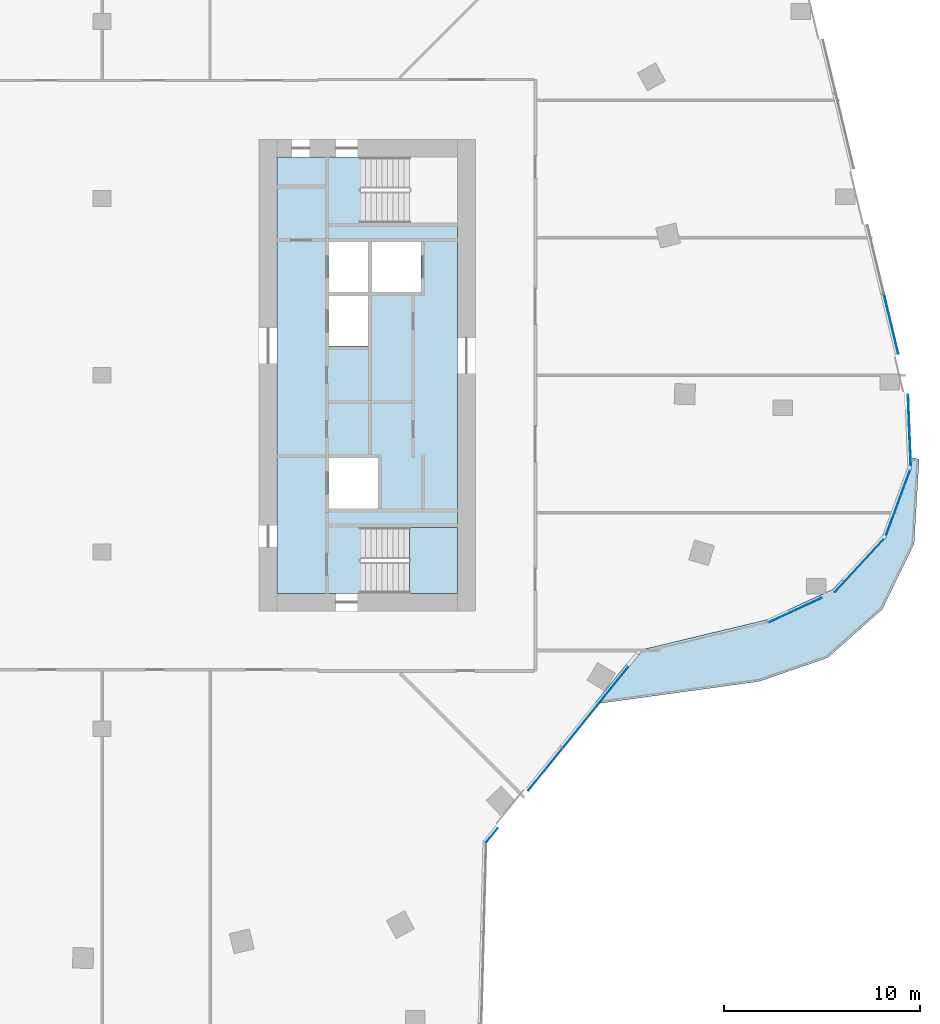
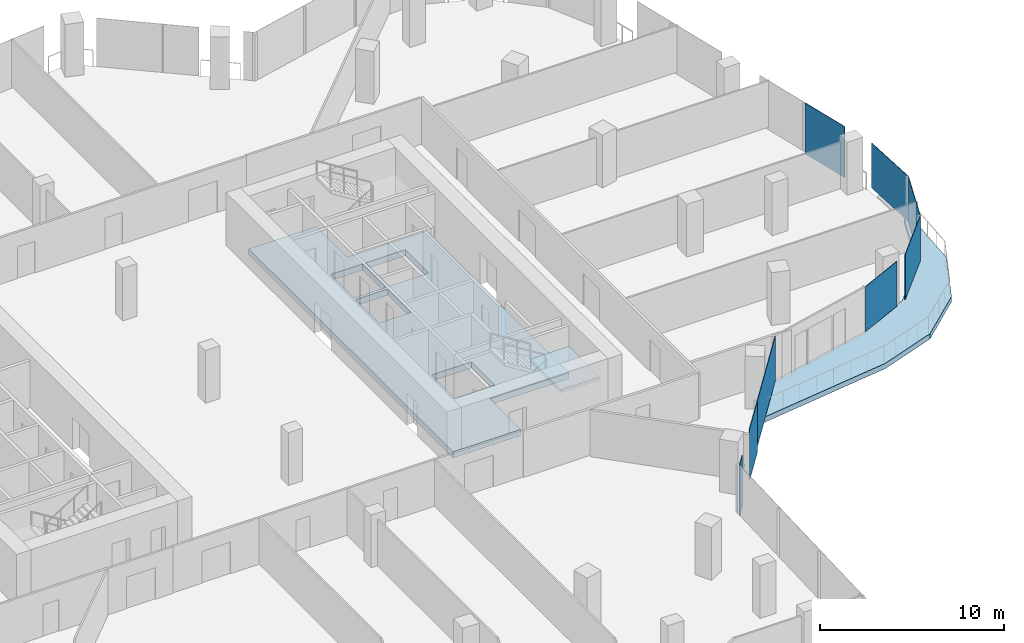
# One storey, part 12 of 24: 8 plates, 3 slabs, 7 elements without a shape of their own.
"""IFC4 building model written with IfcOpenShell, lengths in metres."""

from ifc_helpers import new_model, si_unit, direction, frame, origin, origin_2d, place, context, subcontext, project, spatial, polyline, rectangle, outline, extrude, material, layer, layer_set, type_object, element, aggregate, save


model = new_model("IFC4")

# Units and contexts
model_context = context("Model", 3, precision=1e-05, world=origin(), true_north=direction((0.0, 1.0)))
body_context = subcontext(model_context, "Body", "Model", "MODEL_VIEW")
ifc_project = project(units=[si_unit("LENGTHUNIT", "METRE"), si_unit("AREAUNIT", "SQUARE_METRE"), si_unit("VOLUMEUNIT", "CUBIC_METRE"), si_unit("PLANEANGLEUNIT", "RADIAN"), si_unit("MASSUNIT", "GRAM", prefix="KILO")], contexts=[model_context])

# Site, building, storey
site_placement = place(None, origin())
site = spatial("IfcSite", under=ifc_project, at=site_placement, CompositionType="ELEMENT")
building_placement = place(site_placement, origin())
building = spatial("IfcBuilding", under=site, at=building_placement, Name="Orlundy Tower", CompositionType="ELEMENT")
storey_placement = place(building_placement, frame((0.0, 0.0, 210.5)))
storey = spatial("IfcBuildingStorey", under=building, at=storey_placement, Name="L55", CompositionType="ELEMENT", Elevation=210.5)

# Curtain wall, plate
ifc_material_1 = material(Name="Aluminium bronze anodised", Category="aluminium")
curtain_wall_type = type_object("IfcCurtainWallType", Name="CW1 wall", PredefinedType="NOTDEFINED", material=ifc_material_1)
curtain_wall_1_placement = place(storey_placement, origin())
curtain_wall_1 = element("IfcCurtainWall", 1, at=curtain_wall_1_placement, inside=storey, type_object=curtain_wall_type, Name="CW1 run 011", PredefinedType="NOTDEFINED")
ifc_material_2 = material(Name="Tinted glass", Category="glass")
ifc_layer_1 = layer(ifc_material_2, 0.031982421875)
ifc_layer_set_1 = layer_set([ifc_layer_1], Name="CW1 glass panel 32")
plate_type = type_object("IfcPlateType", Name="CW1 glass panel 32", PredefinedType="CURTAIN_PANEL", material=ifc_layer_set_1)
plate_1_placement = place(storey_placement, frame((40.163330078125, 2.615478515625, -0.280029296875), z_axis=(0.0, 0.0, 1.0), x_axis=(0.233472005748, -0.972363523859, 0.0)))
plate_1 = element("IfcPlate", 2, at=plate_1_placement, type_object=plate_type, Name="CW1 panel", PredefinedType="CURTAIN_PANEL", context=body_context, shape_type="SweptSolid", body=[
    extrude(rectangle(XDim=3.115234375, YDim=0.031982421875, at=origin_2d()), origin(), (0.0, 0.0, 1.0), 3.3798828125),
])
aggregate(curtain_wall_1, [plate_1])

curtain_wall_2_placement = place(storey_placement, origin())
curtain_wall_2 = element("IfcCurtainWall", 3, at=curtain_wall_2_placement, inside=storey, type_object=curtain_wall_type, Name="CW1 run 012", PredefinedType="NOTDEFINED")
plate_2_placement = place(storey_placement, frame((41.09716796875, -2.85546875, 0.1201171875), z_axis=(0.0, 0.0, 1.0), x_axis=(0.039116906831, -0.999234640913, 0.0)))
plate_2 = element("IfcPlate", 4, at=plate_2_placement, type_object=plate_type, Name="CW1 panel", PredefinedType="CURTAIN_PANEL", context=body_context, shape_type="SweptSolid", body=[
    extrude(rectangle(XDim=3.73046875, YDim=0.031982421875, at=origin_2d()), origin(), (0.0, 0.0, 1.0), 2.97998046875),
])
aggregate(curtain_wall_2, [plate_2])

curtain_wall_3_placement = place(storey_placement, origin())
curtain_wall_3 = element("IfcCurtainWall", 5, at=curtain_wall_3_placement, inside=storey, type_object=curtain_wall_type, Name="CW1 run 013", PredefinedType="NOTDEFINED")
plate_3_placement = place(storey_placement, frame((40.517333984375, -6.48828125, 0.1201171875), z_axis=(0.0, 0.0, 1.0), x_axis=(-0.346180462863, -0.938167941859, 0.0)))
plate_3 = element("IfcPlate", 6, at=plate_3_placement, type_object=plate_type, Name="CW1 panel", PredefinedType="CURTAIN_PANEL", context=body_context, shape_type="SweptSolid", body=[
    extrude(rectangle(XDim=3.771484375, YDim=0.031982421875, at=origin_2d()), origin(), (0.0, 0.0, 1.0), 2.97998046875),
])
aggregate(curtain_wall_3, [plate_3])

curtain_wall_4_placement = place(storey_placement, origin())
curtain_wall_4 = element("IfcCurtainWall", 7, at=curtain_wall_4_placement, inside=storey, type_object=curtain_wall_type, Name="CW1 run 014", PredefinedType="NOTDEFINED")
plate_4_placement = place(storey_placement, frame((38.58447265625, -9.642333984375, 0.1201171875), z_axis=(0.0, 0.0, 1.0), x_axis=(-0.678772971258, -0.734348182738, 0.0)))
plate_4 = element("IfcPlate", 8, at=plate_4_placement, type_object=plate_type, Name="CW1 panel", PredefinedType="CURTAIN_PANEL", context=body_context, shape_type="SweptSolid", body=[
    extrude(rectangle(XDim=3.77197265625, YDim=0.031982421875, at=origin_2d()), origin(), (0.0, 0.0, 1.0), 2.97998046875),
])
aggregate(curtain_wall_4, [plate_4])

curtain_wall_5_placement = place(storey_placement, origin())
curtain_wall_5 = element("IfcCurtainWall", 9, at=curtain_wall_5_placement, inside=storey, type_object=curtain_wall_type, Name="CW1 run 015", PredefinedType="NOTDEFINED")
plate_5_placement = place(storey_placement, frame((35.26708984375, -11.966552734375, 0.1201171875), z_axis=(0.0, 0.0, 1.0), x_axis=(-0.908117246595, -0.418715973467, 0.0)))
plate_5 = element("IfcPlate", 10, at=plate_5_placement, type_object=plate_type, Name="CW1 panel", PredefinedType="CURTAIN_PANEL", context=body_context, shape_type="SweptSolid", body=[
    extrude(rectangle(XDim=2.973876953125, YDim=0.031982421875, at=origin_2d()), origin(), (0.0, 0.0, 1.0), 2.97998046875),
])
aggregate(curtain_wall_5, [plate_5])

# Curtain wall, plates
curtain_wall_6_placement = place(storey_placement, origin())
curtain_wall_6 = element("IfcCurtainWall", 11, at=curtain_wall_6_placement, inside=storey, type_object=curtain_wall_type, Name="CW1 run 017", PredefinedType="NOTDEFINED")
plate_6_placement = place(storey_placement, frame((25.396240234375, -16.56884765625, 0.1201171875), z_axis=(0.0, 0.0, 1.0), x_axis=(-0.629352582823, -0.777119891969, 0.0)))
plate_6 = element("IfcPlate", 12, at=plate_6_placement, type_object=plate_type, Name="CW1 panel", PredefinedType="CURTAIN_PANEL", context=body_context, shape_type="SweptSolid", body=[
    extrude(rectangle(XDim=6.162353515625, YDim=0.031982421875, at=origin_2d()), origin(), (0.0, 0.0, 1.0), 2.97998046875),
])
plate_7_placement = place(storey_placement, frame((22.559814453125, -20.0712890625, -0.280029296875), z_axis=(0.0, 0.0, 1.0), x_axis=(-0.629352582823, -0.777119891969, 0.0)))
plate_7 = element("IfcPlate", 13, at=plate_7_placement, type_object=plate_type, Name="CW1 panel", PredefinedType="CURTAIN_PANEL", context=body_context, shape_type="SweptSolid", body=[
    extrude(rectangle(XDim=2.751953125, YDim=0.031982421875, at=origin_2d()), origin(), (0.0, 0.0, 1.0), 3.3798828125),
])
plate_8_placement = place(storey_placement, frame((19.84423828125, -23.42431640625, -0.280029296875), z_axis=(0.0, 0.0, 1.0), x_axis=(-0.629352582823, -0.777119891969, 0.0)))
plate_8 = element("IfcPlate", 14, at=plate_8_placement, type_object=plate_type, Name="CW1 panel", PredefinedType="CURTAIN_PANEL", context=body_context, shape_type="SweptSolid", body=[
    extrude(rectangle(XDim=0.943359375, YDim=0.031982421875, at=origin_2d()), origin(), (0.0, 0.0, 1.0), 3.3798828125),
])
aggregate(curtain_wall_6, [plate_6, plate_7, plate_8])

# Slab
ifc_material_3 = material(Name="Concrete C50/60", Category="concrete")
ifc_layer_2 = layer(ifc_material_3, 0.409912109375)
ifc_layer_set_2 = layer_set([ifc_layer_2], Name="Core Floor Slab 410")
slab_type_1 = type_object("IfcSlabType", Name="Core Floor Slab 410", PredefinedType="FLOOR", material=ifc_layer_set_2)
slab_1_placement = place(storey_placement, frame((0.0, 0.0, -0.409912109375)))
element("IfcSlab", 15, at=slab_1_placement, inside=storey, type_object=slab_type_1, Name="Core floor E42", PredefinedType="FLOOR", context=body_context, shape_type="SweptSolid", body=[
    extrude(outline(polyline([(18.10009765625, -7.75), (13.14501953125, -7.75), (13.14501953125, -11.10009765625), (8.89990234375, -11.10009765625), (8.89990234375, 11.10009765625), (13.14501953125, 11.10009765625), (13.14501953125, 7.75), (18.10009765625, 7.75), (18.10009765625, -7.75)]), holes=[polyline([(13.5400390625, 4.22509765625), (13.5400390625, 6.77490234375), (11.5400390625, 6.77490234375), (11.5400390625, 4.22509765625), (13.5400390625, 4.22509765625)]), polyline([(13.739990234375, 4.22509765625), (16.239990234375, 4.22509765625), (16.239990234375, 6.77490234375), (13.739990234375, 6.77490234375), (13.739990234375, 4.22509765625)]), polyline([(11.5400390625, 4.02490234375), (11.5400390625, 1.47509765625), (13.5400390625, 1.47509765625), (13.5400390625, 4.02490234375), (11.5400390625, 4.02490234375)]), polyline([(14.0400390625, -4.22509765625), (11.5400390625, -4.22509765625), (11.5400390625, -6.77490234375), (14.0400390625, -6.77490234375), (14.0400390625, -4.22509765625)])]), origin(), (0.0, 0.0, 1.0), 0.409912109375),
])

# Stair, slab
ifc_material_4 = material(Name="Concrete C50/60", Category="concrete")
stair_type = type_object("IfcStairType", Name="Exit Stair 20 risers", PredefinedType="HALF_TURN_STAIR", material=ifc_material_4)
stair_placement = place(storey_placement, origin())
stair = element("IfcStair", 16, at=stair_placement, inside=storey, type_object=stair_type, Name="L55 Exit Stair ST-E1", PredefinedType="HALF_TURN_STAIR")
ifc_material_5 = material(Name="Concrete C50/60", Category="concrete")
ifc_layer_3 = layer(ifc_material_5, 0.199951171875)
ifc_layer_set_3 = layer_set([ifc_layer_3], Name="Exit Stair Landing")
slab_type_2 = type_object("IfcSlabType", Name="Exit Stair Landing", PredefinedType="LANDING", material=ifc_layer_set_3)
slab_2_placement = place(storey_placement, frame((0.0, 0.0, 1.550048828125)))
slab_2 = element("IfcSlab", 17, at=slab_2_placement, type_object=slab_type_2, Name="ST-E1 landing 1", PredefinedType="LANDING", context=body_context, shape_type="SweptSolid", body=[
    extrude(outline(polyline([(15.659912109375, -11.10009765625), (18.10009765625, -11.10009765625), (18.10009765625, -7.75), (15.659912109375, -7.75), (15.659912109375, -11.10009765625)])), origin(), (0.0, 0.0, 1.0), 0.199951171875),
])
aggregate(stair, [slab_2])

# Slab
ifc_material_6 = material(Name="Concrete C45/55", Category="concrete")
ifc_layer_4 = layer(ifc_material_6, 0.35009765625)
ifc_layer_set_4 = layer_set([ifc_layer_4], Name="TERRACE SLAB 350 C45/55")
slab_type_3 = type_object("IfcSlabType", Name="TERRACE SLAB 350 C45/55", PredefinedType="ROOF", material=ifc_layer_set_4)
slab_3_placement = place(storey_placement, frame((0.0, 0.0, -0.35009765625)))
element("IfcSlab", 18, at=slab_3_placement, inside=storey, type_object=slab_type_3, Name="Terrace slab L55-1", PredefinedType="ROOF", context=body_context, shape_type="SweptSolid", body=[
    extrude(outline(polyline([(25.0439453125, -16.741943359375), (27.242919921875, -14.028076171875), (33.840087890625, -12.444091796875), (37.20703125, -10.89208984375), (39.721923828125, -8.1708984375), (41.18994140625, -4.18798828125), (41.587890625, -4.27099609375), (41.33203125, -8.5810546875), (39.7119140625, -11.916015625), (36.93994140625, -14.3759765625), (33.43701171875, -15.587890625), (25.0439453125, -16.741943359375)])), origin(), (0.0, 0.0, 1.0), 0.35009765625),
])

save(model, "model.ifc")
